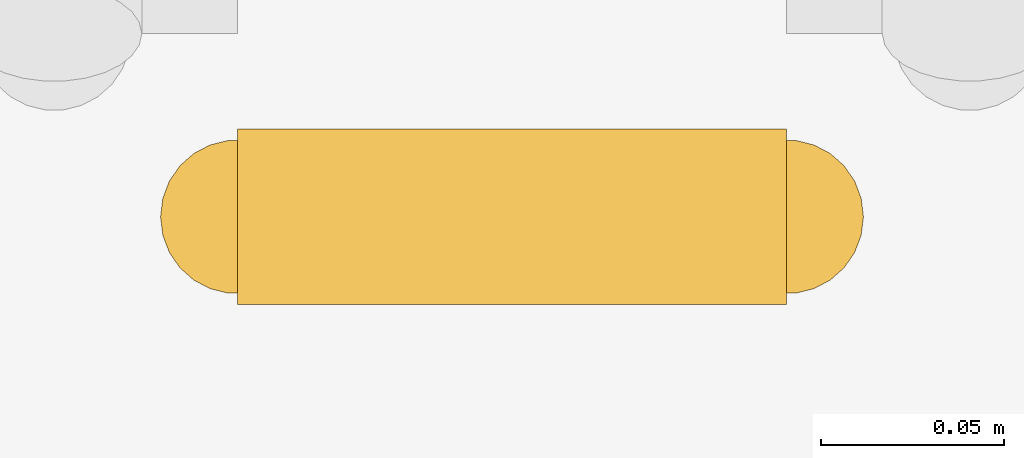
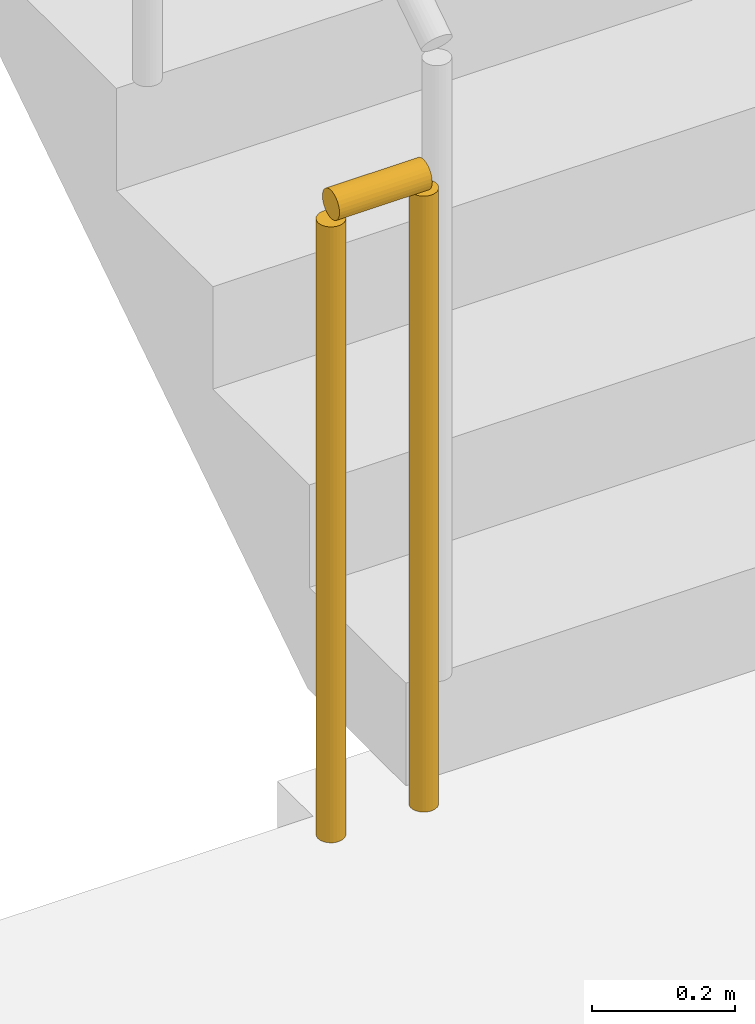
# One storey, part 16 of 19: 1 railing.
"""IFC4 building model written with IfcOpenShell, lengths in metres."""

from ifc_helpers import new_model, si_unit, direction, frame, origin, origin_2d, place, context, subcontext, project, spatial, circle, extrude, material, type_object, element, save


model = new_model("IFC4")

# Units and contexts
model_context = context("Model", 3, precision=1e-05, world=origin(), true_north=direction((0.0, 1.0)))
body_context = subcontext(model_context, "Body", "Model", "MODEL_VIEW")
ifc_project = project(units=[si_unit("LENGTHUNIT", "METRE"), si_unit("AREAUNIT", "SQUARE_METRE"), si_unit("VOLUMEUNIT", "CUBIC_METRE"), si_unit("PLANEANGLEUNIT", "RADIAN"), si_unit("MASSUNIT", "GRAM", prefix="KILO")], contexts=[model_context])

# Site, building, storey
site_placement = place(None, origin())
site = spatial("IfcSite", under=ifc_project, at=site_placement, CompositionType="ELEMENT")
building_placement = place(site_placement, origin())
building = spatial("IfcBuilding", under=site, at=building_placement, Name="Saffron Iwan Residences", CompositionType="ELEMENT")
storey_placement = place(building_placement, frame((0.0, 0.0, 160.5)))
storey = spatial("IfcBuildingStorey", under=building, at=storey_placement, Name="L42", CompositionType="ELEMENT", Elevation=160.5)

# Railing
ifc_material = material(Name="Steel S355", Category="steel")
railing_type = type_object("IfcRailingType", Name="Stair guard 1100", PredefinedType="GUARDRAIL", material=ifc_material)
railing_placement = place(storey_placement, frame((69.699951171875, 67.800048828125, 0.0)))
element("IfcRailing", 1, at=railing_placement, inside=storey, type_object=railing_type, Name="L42 ST-E stair guard 2", PredefinedType="GUARDRAIL", context=body_context, shape_type="SweptSolid", body=[
    extrude(circle(Radius=0.02392578125, at=origin_2d()), frame((0.0, 0.0, 1.076171875), z_axis=(-1.0, 0.0, 0.0), x_axis=(0.0, -1.0, 0.0)), (0.0, 0.0, 1.0), 0.14990234375),
    extrude(circle(Radius=0.02099609375, at=origin_2d()), origin(), (0.0, 0.0, 1.0), 1.052001953125),
    extrude(circle(Radius=0.02099609375, at=origin_2d()), frame((-0.14990234375, 0.0, 0.0)), (0.0, 0.0, 1.0), 1.052001953125),
])

save(model, "model.ifc")
